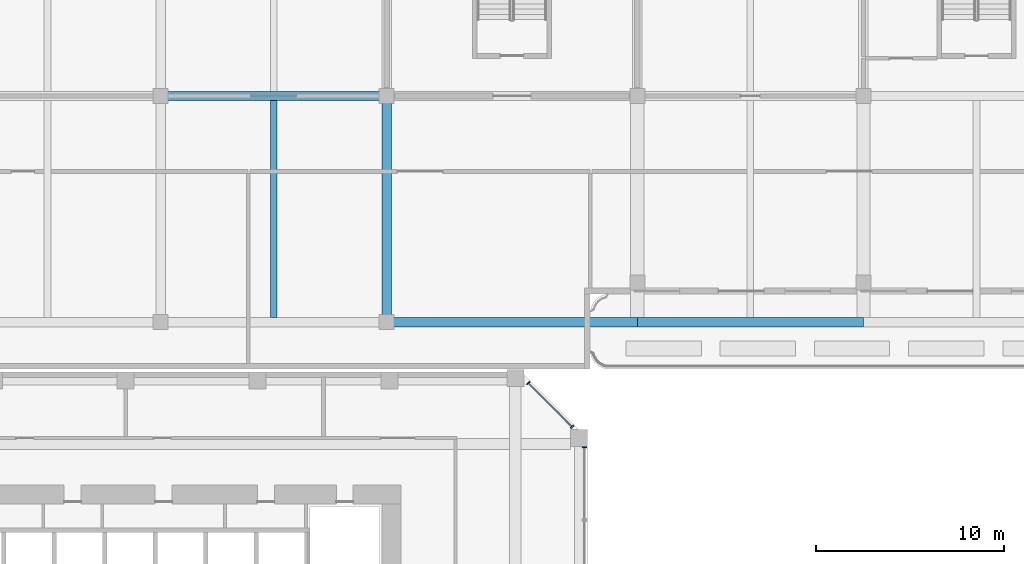
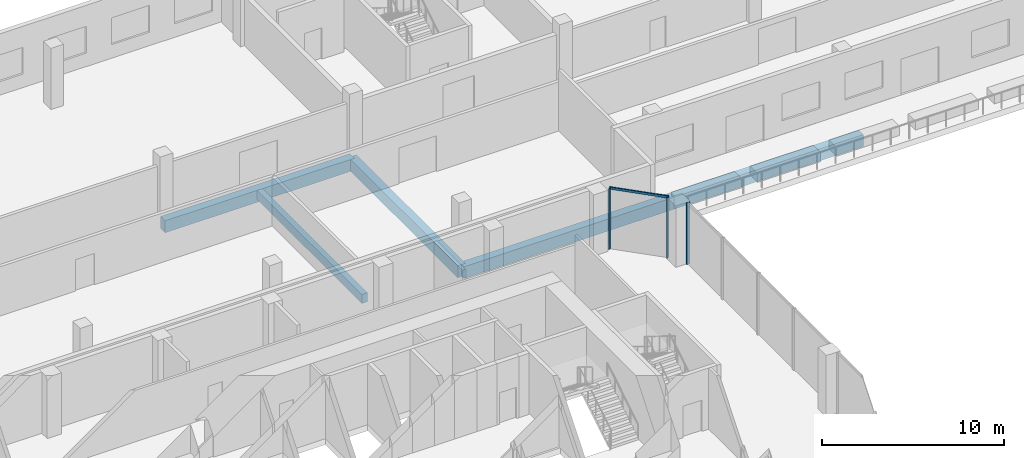
# One storey, part 10 of 35: 5 beams, 4 members, 2 elements without a shape of their own.
"""IFC4 building model written with IfcOpenShell, lengths in metres."""

from ifc_helpers import new_model, si_unit, direction, frame, origin, origin_2d, place, context, subcontext, project, spatial, rectangle, extrude, source, transform, mapped, material, material_profile, profile_set, type_object, element, aggregate, save


model = new_model("IFC4")

# Units and contexts
model_context = context("Model", 3, precision=1e-05, world=origin(), true_north=direction((0.0, 1.0)))
body_context = subcontext(model_context, "Body", "Model", "MODEL_VIEW")
ifc_project = project(units=[si_unit("LENGTHUNIT", "METRE"), si_unit("AREAUNIT", "SQUARE_METRE"), si_unit("VOLUMEUNIT", "CUBIC_METRE"), si_unit("PLANEANGLEUNIT", "RADIAN"), si_unit("MASSUNIT", "GRAM", prefix="KILO")], contexts=[model_context])

# Site, building, storey
site_placement = place(None, origin())
site = spatial("IfcSite", under=ifc_project, at=site_placement, CompositionType="ELEMENT")
building_placement = place(site_placement, origin())
building = spatial("IfcBuilding", under=site, at=building_placement, Name="Kilnfold Tower and Market Hall", CompositionType="ELEMENT")
storey_placement = place(building_placement, frame((0.0, 0.0, 13.5)))
storey = spatial("IfcBuildingStorey", under=building, at=storey_placement, Name="L02", CompositionType="ELEMENT", Elevation=13.5)

# Beams
ifc_material_1 = material(Name="Concrete C40/50", Category="concrete")
ifc_material_profile_1 = material_profile(ifc_material_1, rectangle(XDim=0.5, YDim=0.800048828125, at=origin_2d()), Name="RC 500x800")
ifc_profile_set_1 = profile_set([ifc_material_profile_1], Name="Concrete C40/50")
beam_type_1 = type_object("IfcBeamType", Name="HALL GIRDER 500X800", PredefinedType="BEAM", material=ifc_profile_set_1)
for number, where, z_axis, x_axis, name in (
    (1, (5.35009765625, 42.64990234375, -0.800048828125), (1.0, 0.0, 0.0), (0.0, 1.0, 0.0), "Beam MG2.57"),
    (2, (17.35009765625, 30.64990234375, -0.800048828125), (0.0, 1.0, 0.0), (-1.0, 0.0, 0.0), "Beam MG2.59"),
):
    element("IfcBeam", number, at=place(storey_placement, frame(where, z_axis=z_axis, x_axis=x_axis)), inside=storey, type_object=beam_type_1, Name=name, PredefinedType="BEAM", context=body_context, shape_type="SweptSolid", body=[
        extrude(rectangle(XDim=0.5, YDim=0.800048828125, at=origin_2d()), origin(), (0.0, 0.0, 1.0), 12.0),
    ])
beam_1_placement = place(storey_placement, frame((17.35009765625, 30.64990234375, -0.800048828125), z_axis=(1.0, 0.0, 0.0), x_axis=(0.0, 1.0, 0.0)))
element("IfcBeam", 3, at=beam_1_placement, inside=storey, type_object=beam_type_1, Name="Beam MG2.60", PredefinedType="BEAM", context=body_context, shape_type="SweptSolid", body=[
    extrude(rectangle(XDim=0.5, YDim=0.800048828125, at=origin_2d()), origin(), (0.0, 0.0, 1.0), 13.2998046875),
])
beam_2_placement = place(storey_placement, frame((30.64990234375, 30.64990234375, -0.800048828125), z_axis=(1.0, 0.0, 0.0), x_axis=(0.0, 1.0, 0.0)))
element("IfcBeam", 4, at=beam_2_placement, inside=storey, type_object=beam_type_1, Name="Beam MG2.64", PredefinedType="BEAM", context=body_context, shape_type="SweptSolid", body=[
    extrude(rectangle(XDim=0.5, YDim=0.800048828125, at=origin_2d()), origin(), (0.0, 0.0, 1.0), 12.0),
])
ifc_material_2 = material(Name="Concrete C40/50", Category="concrete")
ifc_material_profile_2 = material_profile(ifc_material_2, rectangle(XDim=0.35009765625, YDim=0.60009765625, at=origin_2d()), Name="RC 350x600")
ifc_profile_set_2 = profile_set([ifc_material_profile_2], Name="Concrete C40/50")
beam_type_2 = type_object("IfcBeamType", Name="HALL JOIST 350X600", PredefinedType="BEAM", material=ifc_profile_set_2)
beam_3_placement = place(storey_placement, frame((11.35009765625, 30.89990234375, -0.699951171875), z_axis=(0.0, 1.0, 0.0), x_axis=(-1.0, 0.0, 0.0)))
element("IfcBeam", 5, at=beam_3_placement, inside=storey, type_object=beam_type_2, Name="Beam MJ1.16", PredefinedType="BEAM", context=body_context, shape_type="SweptSolid", body=[
    extrude(rectangle(XDim=0.35009765625, YDim=0.60009765625, at=origin_2d()), origin(), (0.0, 0.0, 1.0), 11.5),
])

# Curtain wall, member
ifc_material_3 = material(Name="Aluminium and double glazing", Category="aluminium")
curtain_wall_type = type_object("IfcCurtainWallType", Name="CW BASE PODIUM GLAZING", PredefinedType="NOTDEFINED", material=ifc_material_3)
curtain_wall_1_placement = place(storey_placement, origin())
curtain_wall_1 = element("IfcCurtainWall", 6, at=curtain_wall_1_placement, inside=storey, type_object=curtain_wall_type, Name="Curtain wall CW4 L02 E", PredefinedType="NOTDEFINED")
ifc_material_4 = material(Name="Aluminium", Category="aluminium")
ifc_material_profile_3 = material_profile(ifc_material_4, rectangle(XDim=0.070068359375, YDim=0.219970703125, at=origin_2d()), Name="MULLION 70x220")
ifc_profile_set_3 = profile_set([ifc_material_profile_3], Name="Aluminium")
member_type_1 = type_object("IfcMemberType", Name="MULLION 70X220", PredefinedType="MULLION", material=ifc_profile_set_3)
shared_shape_1 = source(origin(), body_context, "Body", "SweptSolid", [
    extrude(rectangle(XDim=0.070068359375, YDim=0.219970703125, at=origin_2d()), origin(), (0.0, 0.0, 1.0), 4.10009765625),
])
member_1_placement = place(storey_placement, frame((27.85009765625, 24.014892578125, 0.0), z_axis=(0.0, 0.0, 1.0), x_axis=(0.0, 1.0, 0.0)))
member_1 = element("IfcMember", 7, at=member_1_placement, type_object=member_type_1, Name="CW4 mullion 2", PredefinedType="MULLION", context=body_context, shape_type="MappedRepresentation", body=[
    mapped(shared_shape_1, transform((0.0, 0.0, 0.0))),
])
aggregate(curtain_wall_1, [member_1])

# Curtain wall, members
curtain_wall_2_placement = place(storey_placement, origin())
curtain_wall_2 = element("IfcCurtainWall", 8, at=curtain_wall_2_placement, inside=storey, type_object=curtain_wall_type, Name="Curtain wall CW4 L02 NE", PredefinedType="NOTDEFINED")
member_2_placement = place(storey_placement, frame((27.194091796875, 25.09375, 0.0), z_axis=(0.0, 0.0, 1.0), x_axis=(-0.707091894879, 0.707121667181, 0.0)))
member_2 = element("IfcMember", 9, at=member_2_placement, type_object=member_type_1, Name="CW4 mullion 1", PredefinedType="MULLION", context=body_context, shape_type="MappedRepresentation", body=[
    mapped(shared_shape_1, transform((0.0, 0.0, 0.0))),
])
member_3_placement = place(storey_placement, frame((24.86865234375, 27.419189453125, 0.0), z_axis=(0.0, 0.0, 1.0), x_axis=(-0.707091894879, 0.707121667181, 0.0)))
member_3 = element("IfcMember", 10, at=member_3_placement, type_object=member_type_1, Name="CW4 mullion 2", PredefinedType="MULLION", context=body_context, shape_type="MappedRepresentation", body=[
    mapped(shared_shape_1, transform((0.0, 0.0, 0.0))),
])
ifc_material_5 = material(Name="Aluminium", Category="aluminium")
ifc_material_profile_4 = material_profile(ifc_material_5, rectangle(XDim=0.070068359375, YDim=0.159912109375, at=origin_2d()), Name="TRANSOM 70x160")
ifc_profile_set_4 = profile_set([ifc_material_profile_4], Name="Aluminium")
member_type_2 = type_object("IfcMemberType", Name="TRANSOM 70X160", PredefinedType="USERDEFINED", material=ifc_profile_set_4)
shared_shape_2 = source(origin(), body_context, "Body", "SweptSolid", [
    extrude(rectangle(XDim=0.070068359375, YDim=0.159912109375, at=origin_2d()), origin(), (0.0, 0.0, 1.0), 3.218994140625),
])
member_4_placement = place(storey_placement, frame((27.16943359375, 25.118408203125, 4.06494140625), z_axis=(-0.707106781187, 0.707106781187, 0.0), x_axis=(-0.707106781187, -0.707106781187, 0.0)))
member_4 = element("IfcMember", 11, at=member_4_placement, type_object=member_type_2, Name="CW4 transom 1.2", ObjectType="TRANSOM", PredefinedType="USERDEFINED", context=body_context, shape_type="MappedRepresentation", body=[
    mapped(shared_shape_2, transform((0.0, 0.0, 0.0))),
])
aggregate(curtain_wall_2, [member_2, member_3, member_4])

save(model, "model.ifc")
